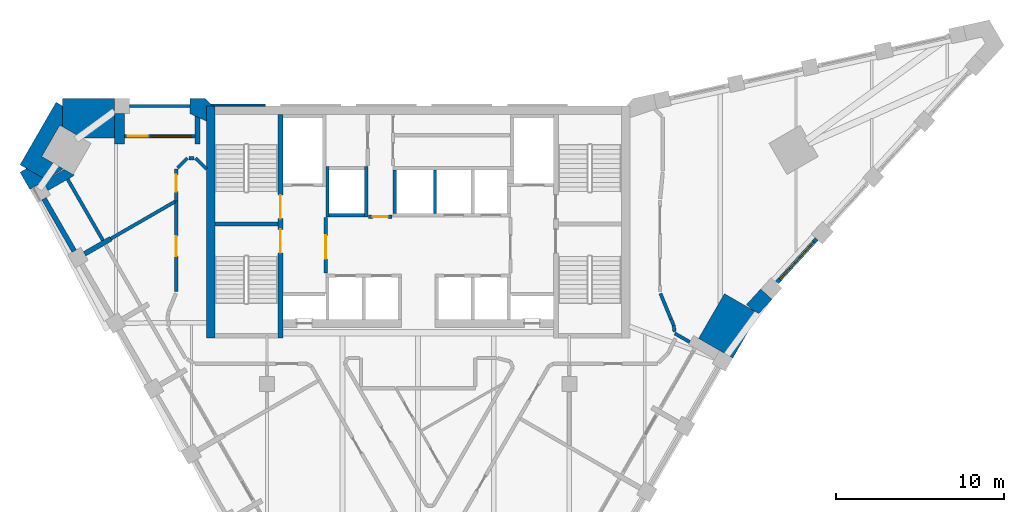
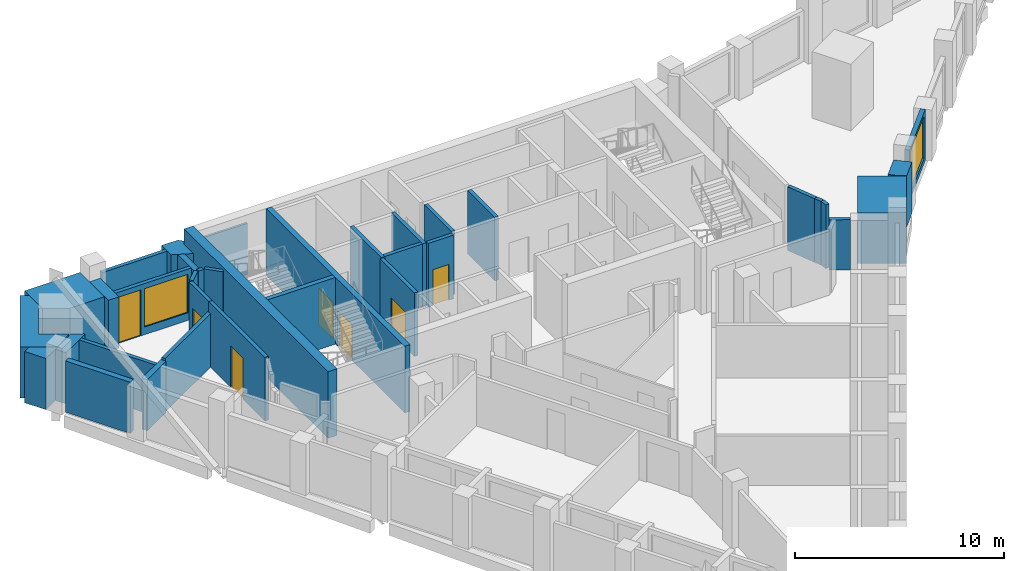
# One storey, part 5 of 8: 36 walls, 7 doors, 2 windows, 9 openings.
"""IFC4 building model written with IfcOpenShell, lengths in metres."""

from ifc_helpers import new_model, si_unit, direction, frame, frame_2d, origin, place, context, subcontext, project, spatial, polyline, rectangle, outline, extrude, material, layer, layer_set, type_object, element, fill, save


model = new_model("IFC4")

# Units and contexts
model_context = context("Model", 3, precision=1e-05, world=origin(), true_north=direction((0.0, 1.0)))
body_context = subcontext(model_context, "Body", "Model", "MODEL_VIEW")
ifc_project = project(units=[si_unit("LENGTHUNIT", "METRE"), si_unit("AREAUNIT", "SQUARE_METRE"), si_unit("VOLUMEUNIT", "CUBIC_METRE"), si_unit("PLANEANGLEUNIT", "RADIAN"), si_unit("MASSUNIT", "GRAM", prefix="KILO")], contexts=[model_context])

# Site, building, storey
site_placement = place(None, origin())
site = spatial("IfcSite", under=ifc_project, at=site_placement, CompositionType="ELEMENT")
building_placement = place(site_placement, origin())
building = spatial("IfcBuilding", under=site, at=building_placement, Name="Calabash Gate Tower", CompositionType="ELEMENT")
storey_placement = place(building_placement, frame((0.0, 0.0, 279.39990234375)))
storey = spatial("IfcBuildingStorey", under=building, at=storey_placement, Name="L67", CompositionType="ELEMENT", Elevation=279.39990234375)

# Walls
ifc_material_1 = material(Name="Terracotta brick masonry, exposed face", Category="masonry")
ifc_layer_1 = layer(ifc_material_1, 2.35009765625)
ifc_layer_set_1 = layer_set([ifc_layer_1], Name="Brick corner mass wall 2350")
wall_type_1 = type_object("IfcWallType", Name="Brick corner mass wall 2350", PredefinedType="SOLIDWALL", material=ifc_layer_set_1)
wall_1_placement = place(storey_placement, origin())
element("IfcWall", 1, at=wall_1_placement, inside=storey, type_object=wall_type_1, Name="Brick corner pier S20 2", PredefinedType="SOLIDWALL", context=body_context, shape_type="SweptSolid", body=[
    extrude(outline(polyline([(18.733642578125, 4.041748046875), (18.73291015625, 4.04052734375), (18.733642578125, 4.0400390625), (20.271240234375, 6.703125), (18.236083984375, 7.878173828125), (16.698486328125, 5.215087890625), (17.95361328125, 4.490478515625), (17.954345703125, 4.49169921875), (18.733642578125, 4.041748046875)])), origin(), (0.0, 0.0, 1.0), 2.9736328125),
])
wall_2_placement = place(storey_placement, origin())
element("IfcWall", 2, at=wall_2_placement, inside=storey, type_object=wall_type_1, Name="Brick corner pier S20 3a", PredefinedType="SOLIDWALL", context=body_context, shape_type="SweptSolid", body=[
    extrude(outline(polyline([(-20.024169921875, 17.152587890625), (-18.093505859375, 17.152587890625), (-18.093505859375, 18.60302734375), (-18.093994140625, 18.60302734375), (-18.093994140625, 19.50244140625), (-21.168701171875, 19.50244140625), (-21.168701171875, 17.813232421875), (-20.024169921875, 17.152587890625)])), origin(), (0.0, 0.0, 1.0), 3.0),
])
wall_3_placement = place(storey_placement, origin())
element("IfcWall", 3, at=wall_3_placement, inside=storey, type_object=wall_type_1, Name="Brick corner pier S20 3b", PredefinedType="SOLIDWALL", context=body_context, shape_type="SweptSolid", body=[
    extrude(outline(polyline([(-21.33349609375, 17.908447265625), (-21.168701171875, 17.813232421875), (-21.168701171875, 19.052490234375), (-21.558349609375, 19.277587890625), (-23.70703125, 15.55615234375), (-22.140869140625, 14.65185546875), (-21.134765625, 15.311279296875), (-22.408447265625, 16.046630859375), (-21.33349609375, 17.908447265625)])), origin(), (0.0, 0.0, 1.0), 3.0),
])
wall_4_placement = place(storey_placement, origin())
element("IfcWall", 4, at=wall_4_placement, inside=storey, type_object=wall_type_1, Name="Brick corner pier S20 3c", PredefinedType="SOLIDWALL", context=body_context, shape_type="SweptSolid", body=[
    extrude(outline(polyline([(-23.118408203125, 14.08740234375), (-21.08349609375, 15.26220703125), (-21.100341796875, 15.291259765625), (-21.134765625, 15.311279296875), (-22.140869140625, 14.65185546875), (-23.3173828125, 15.3310546875), (-23.70703125, 15.106201171875), (-23.118408203125, 14.08740234375)])), origin(), (0.0, 0.0, 1.0), 3.0),
])
ifc_material_2 = material(Name="Terracotta brick masonry, exposed face", Category="masonry")
ifc_layer_2 = layer(ifc_material_2, 0.89990234375)
ifc_layer_set_2 = layer_set([ifc_layer_2], Name="Brick end wall 900")
wall_type_2 = type_object("IfcWallType", Name="Brick end wall 900", PredefinedType="SOLIDWALL", material=ifc_layer_set_2)
wall_5_placement = place(storey_placement, origin())
element("IfcWall", 5, at=wall_5_placement, inside=storey, type_object=wall_type_2, Name="Brick pier S20 N6.5", PredefinedType="SOLIDWALL", context=body_context, shape_type="SweptSolid", body=[
    extrude(outline(polyline([(-12.233642578125, 19.052490234375), (-12.693603515625, 19.50244140625), (-13.593505859375, 19.50244140625), (-13.593505859375, 18.6025390625), (-12.60009765625, 18.15234375), (-12.60009765625, 19.052490234375), (-12.233642578125, 19.052490234375)])), origin(), (0.0, 0.0, 1.0), 3.0),
])
wall_6_placement = place(storey_placement, origin())
element("IfcWall", 6, at=wall_6_placement, inside=storey, type_object=wall_type_2, Name="Brick end wall S20 1", PredefinedType="SOLIDWALL", context=body_context, shape_type="SweptSolid", body=[
    extrude(outline(polyline([(20.394775390625, 8.15625), (19.54931640625, 7.23193359375), (19.88134765625, 6.92822265625), (20.271240234375, 6.703125), (20.24658203125, 6.66064453125), (21.058837890625, 7.548828125), (20.394775390625, 8.15625)])), origin(), (0.0, 0.0, 1.0), 3.0),
])
ifc_material_3 = material(Name="Terracotta brick masonry, exposed face", Category="masonry")
ifc_layer_3 = layer(ifc_material_3, 0.300048828125)
ifc_layer_set_3 = layer_set([ifc_layer_3], Name="Brick infill panel wall 300")
wall_type_3 = type_object("IfcWallType", Name="Brick infill panel wall 300", PredefinedType="SOLIDWALL", material=ifc_layer_set_3)
wall_7_placement = place(storey_placement, frame((-22.279052734375, 13.53271484375, 0.0), z_axis=(0.0, 0.0, 1.0), x_axis=(0.500012057535, -0.866018442252, 0.0)))
element("IfcWall", 7, at=wall_7_placement, inside=storey, type_object=wall_type_3, Name="Brick panel S20 SW0.1", PredefinedType="SOLIDWALL", context=body_context, shape_type="SweptSolid", body=[
    extrude(rectangle(XDim=3.60009765625, YDim=0.300048828125, at=frame_2d((1.800048828125, 0.0))), origin(), (0.0, 0.0, 1.0), 3.0),
])
ifc_material_4 = material(Name="Terracotta brick masonry, exposed face", Category="masonry")
ifc_layer_4 = layer(ifc_material_4, 0.300048828125)
ifc_layer_set_4 = layer_set([ifc_layer_4], Name="Brick loggia cheek wall 300")
wall_type_4 = type_object("IfcWallType", Name="Brick loggia cheek wall 300", PredefinedType="SOLIDWALL", material=ifc_layer_set_4)
wall_8_placement = place(storey_placement, origin())
element("IfcWall", 8, at=wall_8_placement, inside=storey, type_object=wall_type_4, Name="Loggia cheek S20 SW0.0", PredefinedType="SOLIDWALL", context=body_context, shape_type="SweptSolid", body=[
    extrude(outline(polyline([(-21.06689453125, 15.27197265625), (-22.339111328125, 14.537353515625), (-22.0390625, 14.017822265625), (-20.48046875, 14.91748046875), (-20.529052734375, 15.001708984375), (-20.546630859375, 14.971435546875), (-21.06689453125, 15.27197265625)])), origin(), (0.0, 0.0, 1.0), 3.0),
])
wall_9_placement = place(storey_placement, frame((-19.8642578125, 10.25048828125, 0.0), z_axis=(0.0, 0.0, 1.0), x_axis=(0.866047807691, 0.499961193289, 0.0)))
element("IfcWall", 9, at=wall_9_placement, inside=storey, type_object=wall_type_4, Name="Loggia cheek S20 SW0.1", PredefinedType="SOLIDWALL", context=body_context, shape_type="SweptSolid", body=[
    extrude(rectangle(XDim=1.800048828125, YDim=0.300048828125, at=frame_2d((0.89990234375, 0.0))), origin(), (0.0, 0.0, 1.0), 3.0),
])
wall_10_placement = place(storey_placement, origin())
element("IfcWall", 10, at=wall_10_placement, inside=storey, type_object=wall_type_4, Name="Loggia cheek S20 N6.5", PredefinedType="SOLIDWALL", context=body_context, shape_type="SweptSolid", body=[
    extrude(outline(polyline([(-13.293701171875, 16.802490234375), (-12.99365234375, 16.802490234375), (-12.99365234375, 18.330810546875), (-13.293701171875, 18.466552734375), (-13.293701171875, 17.152587890625), (-13.293701171875, 16.802490234375)])), origin(), (0.0, 0.0, 1.0), 3.0),
])
wall_11_placement = place(storey_placement, origin())
element("IfcWall", 11, at=wall_11_placement, inside=storey, type_object=wall_type_4, Name="Loggia cheek S20 N6.6", PredefinedType="SOLIDWALL", context=body_context, shape_type="SweptSolid", body=[
    extrude(outline(polyline([(-18.093505859375, 18.6025390625), (-18.093505859375, 16.802490234375), (-17.49365234375, 16.802490234375), (-17.49365234375, 18.6025390625), (-18.093505859375, 18.6025390625)])), origin(), (0.0, 0.0, 1.0), 3.0),
])
ifc_material_5 = material(Name="Concrete C60/75", Category="concrete")
ifc_layer_5 = layer(ifc_material_5, 0.25)
ifc_layer_set_5 = layer_set([ifc_layer_5], Name="Core wall 250 Concrete C60/75")
wall_type_5 = type_object("IfcWallType", Name="Core wall 250 Concrete C60/75", PredefinedType="SHEAR", material=ifc_layer_set_5)
wall_12_placement = place(storey_placement, frame((-12.10009765625, 12.027587890625, 0.0), z_axis=(0.0, 0.0, 1.0), x_axis=(1.0, 0.0, 0.0)))
element("IfcWall", 12, at=wall_12_placement, inside=storey, type_object=wall_type_5, Name="Core wall Z5-MIDW L67", PredefinedType="SHEAR", context=body_context, shape_type="SweptSolid", body=[
    extrude(rectangle(XDim=3.75, YDim=0.25, at=frame_2d((1.875, 0.0))), origin(), (0.0, 0.0, 1.0), 3.900146484375),
])

# Wall, openings, doors
ifc_material_6 = material(Name="Concrete C60/75", Category="concrete")
ifc_layer_6 = layer(ifc_material_6, 0.300048828125)
ifc_layer_set_6 = layer_set([ifc_layer_6], Name="Core wall 300 Concrete C60/75")
wall_type_6 = type_object("IfcWallType", Name="Core wall 300 Concrete C60/75", PredefinedType="SHEAR", material=ifc_layer_set_6)
wall_13_placement = place(storey_placement, frame((-8.199951171875, 5.252685546875, 0.0), z_axis=(0.0, 0.0, 1.0), x_axis=(0.0, 1.0, 0.0)))
wall_13 = element("IfcWall", 13, at=wall_13_placement, inside=storey, type_object=wall_type_6, Name="Core wall Z5-PARTW L67", PredefinedType="SHEAR", context=body_context, shape_type="SweptSolid", body=[
    extrude(rectangle(XDim=13.2998046875, YDim=0.300048828125, at=frame_2d((6.64990234375, 0.0))), origin(), (0.0, 0.0, 1.0), 3.900146484375),
])
opening_1_placement = place(wall_13_placement, frame((7.10009765625, 0.0, 0.0)))
opening_1 = element("IfcOpeningElement", 14, at=opening_1_placement, cuts=wall_13, Name="Opening O12-009", PredefinedType="OPENING", context=body_context, shape_type="SweptSolid", body=[
    extrude(rectangle(XDim=1.39990234375, YDim=2.10009765625, at=frame_2d((0.699951171875, 1.050048828125))), frame((0.0, 0.159912109375, 0.0), z_axis=(0.0, -1.0, 0.0), x_axis=(1.0, 0.0, 0.0)), (0.0, 0.0, 1.0), 0.320068359375),
])
opening_2_placement = place(wall_13_placement, frame((5.050048828125, 0.0, 0.0)))
opening_2 = element("IfcOpeningElement", 15, at=opening_2_placement, cuts=wall_13, Name="Opening O12-010", PredefinedType="OPENING", context=body_context, shape_type="SweptSolid", body=[
    extrude(rectangle(XDim=1.39990234375, YDim=2.10009765625, at=frame_2d((0.699951171875, 1.050048828125))), frame((0.0, 0.159912109375, 0.0), z_axis=(0.0, -1.0, 0.0), x_axis=(1.0, 0.0, 0.0)), (0.0, 0.0, 1.0), 0.320068359375),
])
ifc_material_7 = material(Name="Steel fire door set with fire-resisting glazing", Category="steel")
door_type_1 = type_object("IfcDoorType", Name="Fire door D05 1400x2100 FD90", OperationType="NOTDEFINED", PredefinedType="DOOR", material=ifc_material_7)
door_1_placement = place(opening_1_placement, origin())
door_1 = element("IfcDoor", 16, at=door_1_placement, inside=storey, type_object=door_type_1, Name="Exit stair door ST1", OperationType="SINGLE_SWING_LEFT", OverallHeight=2.10009765625, OverallWidth=1.39990234375, PredefinedType="DOOR", context=body_context, shape_type="SweptSolid", body=[
    extrude(rectangle(XDim=1.39990234375, YDim=2.10009765625, at=frame_2d((0.699951171875, 1.050048828125))), frame((0.0, 0.02490234375, 0.0), z_axis=(0.0, -1.0, 0.0), x_axis=(1.0, 0.0, 0.0)), (0.0, 0.0, 1.0), 0.050048828125),
])
fill(opening_1, door_1)
door_2_placement = place(opening_2_placement, origin())
door_2 = element("IfcDoor", 17, at=door_2_placement, inside=storey, type_object=door_type_1, Name="Exit stair door ST2", OperationType="SINGLE_SWING_LEFT", OverallHeight=2.10009765625, OverallWidth=1.39990234375, PredefinedType="DOOR", context=body_context, shape_type="SweptSolid", body=[
    extrude(rectangle(XDim=1.39990234375, YDim=2.10009765625, at=frame_2d((0.699951171875, 1.050048828125))), frame((0.0, 0.02490234375, 0.0), z_axis=(0.0, -1.0, 0.0), x_axis=(1.0, 0.0, 0.0)), (0.0, 0.0, 1.0), 0.050048828125),
])
fill(opening_2, door_2)

# Walls
ifc_material_8 = material(Name="Concrete C60/75", Category="concrete")
ifc_layer_7 = layer(ifc_material_8, 0.5)
ifc_layer_set_7 = layer_set([ifc_layer_7], Name="Core wall 500 Concrete C60/75")
wall_type_7 = type_object("IfcWallType", Name="Core wall 500 Concrete C60/75", PredefinedType="SHEAR", material=ifc_layer_set_7)
wall_14_placement = place(storey_placement, frame((-12.35009765625, 5.252685546875, 0.0), z_axis=(0.0, 0.0, 1.0), x_axis=(0.0, 1.0, 0.0)))
element("IfcWall", 18, at=wall_14_placement, inside=storey, type_object=wall_type_7, Name="Core wall Z5-COLW L67", PredefinedType="SHEAR", context=body_context, shape_type="SweptSolid", body=[
    extrude(rectangle(XDim=13.7998046875, YDim=0.5, at=frame_2d((6.89990234375, 0.0))), origin(), (0.0, 0.0, 1.0), 3.900146484375),
])
ifc_material_9 = material(Name="Gypsum board on steel studs, mineral wool", Category="steel")
ifc_layer_8 = layer(ifc_material_9, 0.199951171875)
ifc_layer_set_8 = layer_set([ifc_layer_8], Name="Partition 200 gypsum board EI 60")
wall_type_8 = type_object("IfcWallType", Name="Partition 200 gypsum board EI 60", PredefinedType="PARTITIONING", material=ifc_layer_set_8)
wall_15_placement = place(storey_placement, frame((15.27685546875, 5.513916015625, 0.0), z_axis=(0.0, 0.0, 1.0), x_axis=(0.866957478323, -0.498382113222, 0.0)))
element("IfcWall", 19, at=wall_15_placement, inside=storey, type_object=wall_type_8, Name="Partition", PredefinedType="PARTITIONING", context=body_context, shape_type="SweptSolid", body=[
    extrude(rectangle(XDim=1.03076171875, YDim=0.199951171875, at=frame_2d((0.515380859375, 0.0))), origin(), (0.0, 0.0, 1.0), 2.9501953125),
])
wall_16_placement = place(storey_placement, frame((15.210693359375, 6.015869140625, 0.0), z_axis=(0.0, 0.0, 1.0), x_axis=(0.133309467874, -0.991074460258, 0.0)))
element("IfcWall", 20, at=wall_16_placement, inside=storey, type_object=wall_type_8, Name="Partition", PredefinedType="PARTITIONING", context=body_context, shape_type="SweptSolid", body=[
    extrude(rectangle(XDim=0.40478515625, YDim=0.199951171875, at=frame_2d((0.202392578125, 0.0))), origin(), (0.0, 0.0, 1.0), 3.72998046875),
])
wall_17_placement = place(storey_placement, frame((15.05078125, 6.37353515625, 0.0), z_axis=(0.0, 0.0, 1.0), x_axis=(0.408161090952, -0.912909920985, 0.0)))
element("IfcWall", 21, at=wall_17_placement, inside=storey, type_object=wall_type_8, Name="Partition", PredefinedType="PARTITIONING", context=body_context, shape_type="SweptSolid", body=[
    extrude(rectangle(XDim=0.391845703125, YDim=0.199951171875, at=frame_2d((0.19580078125, 0.0))), origin(), (0.0, 0.0, 1.0), 3.72998046875),
])
wall_18_placement = place(storey_placement, frame((14.425048828125, 7.892822265625, 0.0), z_axis=(0.0, 0.0, 1.0), x_axis=(0.380824536343, -0.924647323318, 0.0)))
element("IfcWall", 22, at=wall_18_placement, inside=storey, type_object=wall_type_8, Name="Partition", PredefinedType="PARTITIONING", context=body_context, shape_type="SweptSolid", body=[
    extrude(rectangle(XDim=1.64306640625, YDim=0.199951171875, at=frame_2d((0.821533203125, 0.0))), origin(), (0.0, 0.0, 1.0), 3.72998046875),
])

# Wall, opening, door
wall_19_placement = place(storey_placement, frame((-14.402099609375, 13.404052734375, 0.0), z_axis=(0.0, 0.0, 1.0), x_axis=(0.000317258867, -0.999999949673, 0.0)))
wall_19 = element("IfcWall", 23, at=wall_19_placement, inside=storey, type_object=wall_type_8, Name="Partition", PredefinedType="PARTITIONING", context=body_context, shape_type="SweptSolid", body=[
    extrude(rectangle(XDim=5.38671875, YDim=0.199951171875, at=frame_2d((2.693359375, 0.0))), origin(), (0.0, 0.0, 1.0), 3.72998046875),
])
opening_3_placement = place(wall_19_placement, frame((2.092041015625, 0.0, 0.0)))
opening_3 = element("IfcOpeningElement", 24, at=opening_3_placement, cuts=wall_19, Name="Opening 67-68-004", PredefinedType="OPENING", context=body_context, shape_type="SweptSolid", body=[
    extrude(rectangle(XDim=1.199951171875, YDim=2.39990234375, at=frame_2d((0.60009765625, 1.199951171875))), frame((0.0, 0.10986328125, 0.0), z_axis=(0.0, -1.0, 0.0), x_axis=(1.0, 0.0, 0.0)), (0.0, 0.0, 1.0), 0.219970703125),
])
ifc_material_10 = material(Name="Steel fire door set with fire-resisting glazing", Category="steel")
door_type_2 = type_object("IfcDoorType", Name="OD3 Boardroom door 1200x2400", OperationType="NOTDEFINED", PredefinedType="DOOR", material=ifc_material_10)
door_3_placement = place(opening_3_placement, origin())
door_3 = element("IfcDoor", 25, at=door_3_placement, inside=storey, type_object=door_type_2, Name="Boardroom door", OperationType="SINGLE_SWING_LEFT", OverallHeight=2.39990234375, OverallWidth=1.199951171875, PredefinedType="DOOR", context=body_context, shape_type="SweptSolid", body=[
    extrude(rectangle(XDim=1.199951171875, YDim=2.39990234375, at=frame_2d((0.60009765625, 1.199951171875))), frame((0.0, 0.02490234375, 0.0), z_axis=(0.0, -1.0, 0.0), x_axis=(1.0, 0.0, 0.0)), (0.0, 0.0, 1.0), 0.050048828125),
])
fill(opening_3, door_3)

# Wall
wall_20_placement = place(storey_placement, frame((-18.3056640625, 11.150634765625, 0.0), z_axis=(0.0, 0.0, 1.0), x_axis=(0.866033448958, 0.499986065091, 0.0)))
element("IfcWall", 26, at=wall_20_placement, inside=storey, type_object=wall_type_8, Name="Partition", PredefinedType="PARTITIONING", context=body_context, shape_type="SweptSolid", body=[
    extrude(rectangle(XDim=4.409423828125, YDim=0.199951171875, at=frame_2d((2.20458984375, 0.0))), origin(), (0.0, 0.0, 1.0), 3.128173828125),
])

# Wall, opening, door
wall_21_placement = place(storey_placement, frame((-14.400390625, 13.4052734375, 0.0), z_axis=(0.0, 0.0, 1.0), x_axis=(0.0, 1.0, 0.0)))
wall_21 = element("IfcWall", 27, at=wall_21_placement, inside=storey, type_object=wall_type_8, Name="Partition", PredefinedType="PARTITIONING", context=body_context, shape_type="SweptSolid", body=[
    extrude(rectangle(XDim=1.8876953125, YDim=0.199951171875, at=frame_2d((0.94384765625, 0.0))), origin(), (0.0, 0.0, 1.0), 3.72998046875),
])
opening_4_placement = place(wall_21_placement, frame((0.543701171875, 0.0, 0.0)))
opening_4 = element("IfcOpeningElement", 28, at=opening_4_placement, cuts=wall_21, Name="Opening 67-68-005", PredefinedType="OPENING", context=body_context, shape_type="SweptSolid", body=[
    extrude(rectangle(XDim=1.0, YDim=2.39990234375, at=frame_2d((0.5, 1.199951171875))), frame((0.0, 0.10986328125, 0.0), z_axis=(0.0, -1.0, 0.0), x_axis=(1.0, 0.0, 0.0)), (0.0, 0.0, 1.0), 0.219970703125),
])
ifc_material_11 = material(Name="Painted timber door", Category="wood")
door_type_3 = type_object("IfcDoorType", Name="OD2 Glazed office door 1000x2400", OperationType="NOTDEFINED", PredefinedType="DOOR", material=ifc_material_11)
door_4_placement = place(opening_4_placement, origin())
door_4 = element("IfcDoor", 29, at=door_4_placement, inside=storey, type_object=door_type_3, Name="Glazed office door", OperationType="SINGLE_SWING_RIGHT", OverallHeight=2.39990234375, OverallWidth=1.0, PredefinedType="DOOR", context=body_context, shape_type="SweptSolid", body=[
    extrude(rectangle(XDim=1.0, YDim=2.39990234375, at=frame_2d((0.5, 1.199951171875))), frame((0.0, 0.02490234375, 0.0), z_axis=(0.0, -1.0, 0.0), x_axis=(1.0, 0.0, 0.0)), (0.0, 0.0, 1.0), 0.050048828125),
])
fill(opening_4, door_4)

# Walls
wall_22_placement = place(storey_placement, frame((-14.32958984375, 15.363525390625, 0.0), z_axis=(0.0, 0.0, 1.0), x_axis=(0.707106781187, 0.707106781187, 0.0)))
element("IfcWall", 30, at=wall_22_placement, inside=storey, type_object=wall_type_8, Name="Partition", PredefinedType="PARTITIONING", context=body_context, shape_type="SweptSolid", body=[
    extrude(rectangle(XDim=0.833740234375, YDim=0.199951171875, at=frame_2d((0.4169921875, 0.0))), origin(), (0.0, 0.0, 1.0), 3.72998046875),
])
wall_23_placement = place(storey_placement, frame((-13.639892578125, 15.952880859375, 0.0), z_axis=(0.0, 0.0, 1.0), x_axis=(1.0, 0.0, 0.0)))
element("IfcWall", 31, at=wall_23_placement, inside=storey, type_object=wall_type_8, Name="Partition", PredefinedType="PARTITIONING", context=body_context, shape_type="SweptSolid", body=[
    extrude(rectangle(XDim=0.280029296875, YDim=0.199951171875, at=frame_2d((0.14013671875, 0.0))), origin(), (0.0, 0.0, 1.0), 3.72998046875),
])
wall_24_placement = place(storey_placement, frame((-13.259765625, 15.952880859375, 0.0), z_axis=(0.0, 0.0, 1.0), x_axis=(0.708285399161, -0.705926195389, 0.0)))
element("IfcWall", 32, at=wall_24_placement, inside=storey, type_object=wall_type_8, Name="Partition", PredefinedType="PARTITIONING", context=body_context, shape_type="SweptSolid", body=[
    extrude(rectangle(XDim=0.931396484375, YDim=0.199951171875, at=frame_2d((0.4658203125, 0.0))), origin(), (0.0, 0.0, 1.0), 3.72998046875),
])

# Wall, opening, window
ifc_material_12 = material(Name="Aluminium framed window wall with insulated spandrel", Category="aluminium")
ifc_layer_9 = layer(ifc_material_12, 0.25)
ifc_layer_set_9 = layer_set([ifc_layer_9], Name="Prow window wall 250")
wall_type_9 = type_object("IfcWallType", Name="Prow window wall 250", PredefinedType="ELEMENTEDWALL", material=ifc_layer_set_9)
wall_25_placement = place(storey_placement, frame((21.367919921875, 8.5537109375, 0.0), z_axis=(0.0, 0.0, 1.0), x_axis=(0.67487449122, 0.737932531537, 0.0)))
wall_25 = element("IfcWall", 33, at=wall_25_placement, inside=storey, type_object=wall_type_9, Name="Prow window wall S20 wedge3.1", PredefinedType="ELEMENTEDWALL", context=body_context, shape_type="SweptSolid", body=[
    extrude(rectangle(XDim=3.5, YDim=0.25, at=frame_2d((1.75, 0.0))), origin(), (0.0, 0.0, 1.0), 3.0),
])
opening_5_placement = place(wall_25_placement, frame((0.25, 0.0, 0.300048828125)))
opening_5 = element("IfcOpeningElement", 34, at=opening_5_placement, cuts=wall_25, Name="Opening WP2", PredefinedType="OPENING", context=body_context, shape_type="SweptSolid", body=[
    extrude(rectangle(XDim=3.0, YDim=2.5, at=frame_2d((1.5, 1.25))), frame((0.0, 0.135009765625, 0.0), z_axis=(0.0, -1.0, 0.0), x_axis=(1.0, 0.0, 0.0)), (0.0, 0.0, 1.0), 0.27001953125),
])
ifc_material_13 = material(Name="Anodised aluminium frame, bronze finish, impact-rated laminated clear glazing", Category="aluminium")
window_type_1 = type_object("IfcWindowType", Name="Window WP2 3000x2500", PartitioningType="DOUBLE_PANEL_VERTICAL", PredefinedType="WINDOW", material=ifc_material_13)
window_1_placement = place(opening_5_placement, origin())
window_1 = element("IfcWindow", 35, at=window_1_placement, inside=storey, type_object=window_type_1, Name="Prow window WP2 S20 wedge3.1", OverallHeight=2.5, OverallWidth=3.0, PartitioningType="SINGLE_PANEL", PredefinedType="WINDOW", context=body_context, shape_type="SweptSolid", body=[
    extrude(rectangle(XDim=3.0, YDim=2.5, at=frame_2d((1.5, 1.25))), frame((0.0, 0.030029296875, 0.0), z_axis=(0.0, -1.0, 0.0), x_axis=(1.0, 0.0, 0.0)), (0.0, 0.0, 1.0), 0.06005859375),
])
fill(opening_5, window_1)

# Wall, opening, door
ifc_material_14 = material(Name="Concrete C40/50", Category="concrete")
ifc_layer_10 = layer(ifc_material_14, 0.199951171875)
ifc_layer_set_10 = layer_set([ifc_layer_10], Name="Shaft wall 200 Concrete C40/50")
wall_type_10 = type_object("IfcWallType", Name="Shaft wall 200 Concrete C40/50", PredefinedType="SOLIDWALL", material=ifc_layer_set_10)
wall_26_placement = place(storey_placement, frame((-5.5, 9.1025390625, 0.0), z_axis=(0.0, 0.0, 1.0), x_axis=(0.0, 1.0, 0.0)))
wall_26 = element("IfcWall", 36, at=wall_26_placement, inside=storey, type_object=wall_type_10, Name="Shaft wall", PredefinedType="SOLIDWALL", context=body_context, shape_type="SweptSolid", body=[
    extrude(rectangle(XDim=3.300048828125, YDim=0.199951171875, at=frame_2d((1.64990234375, 0.0))), origin(), (0.0, 0.0, 1.0), 3.72998046875),
])
opening_6_placement = place(wall_26_placement, frame((0.85009765625, 0.0, 0.0)))
opening_6 = element("IfcOpeningElement", 37, at=opening_6_placement, cuts=wall_26, Name="Opening O12-003", PredefinedType="OPENING", context=body_context, shape_type="SweptSolid", body=[
    extrude(rectangle(XDim=1.39990234375, YDim=2.10009765625, at=frame_2d((0.699951171875, 1.050048828125))), frame((0.0, 0.10986328125, 0.0), z_axis=(0.0, -1.0, 0.0), x_axis=(1.0, 0.0, 0.0)), (0.0, 0.0, 1.0), 0.219970703125),
])
door_5_placement = place(opening_6_placement, origin())
door_5 = element("IfcDoor", 38, at=door_5_placement, inside=storey, type_object=door_type_1, Name="Firefighting Lobby W door", OperationType="SINGLE_SWING_RIGHT", OverallHeight=2.10009765625, OverallWidth=1.39990234375, PredefinedType="DOOR", context=body_context, shape_type="SweptSolid", body=[
    extrude(rectangle(XDim=1.39990234375, YDim=2.10009765625, at=frame_2d((0.699951171875, 1.050048828125))), frame((0.0, 0.02490234375, 0.0), z_axis=(0.0, -1.0, 0.0), x_axis=(1.0, 0.0, 0.0)), (0.0, 0.0, 1.0), 0.050048828125),
])
fill(opening_6, door_5)

wall_27_placement = place(storey_placement, frame((-2.949951171875, 12.45263671875, 0.0), z_axis=(0.0, 0.0, 1.0), x_axis=(1.0, 0.0, 0.0)))
wall_27 = element("IfcWall", 39, at=wall_27_placement, inside=storey, type_object=wall_type_10, Name="Shaft wall", PredefinedType="SOLIDWALL", context=body_context, shape_type="SweptSolid", body=[
    extrude(rectangle(XDim=1.39990234375, YDim=0.199951171875, at=frame_2d((0.699951171875, 0.0))), origin(), (0.0, 0.0, 1.0), 3.72998046875),
])
opening_7_placement = place(wall_27_placement, frame((0.25, 0.0, 0.0)))
opening_7 = element("IfcOpeningElement", 40, at=opening_7_placement, cuts=wall_27, Name="Opening O12-001", PredefinedType="OPENING", context=body_context, shape_type="SweptSolid", body=[
    extrude(rectangle(XDim=0.89990234375, YDim=2.10009765625, at=frame_2d((0.449951171875, 1.050048828125))), frame((0.0, 0.10986328125, 0.0), z_axis=(0.0, -1.0, 0.0), x_axis=(1.0, 0.0, 0.0)), (0.0, 0.0, 1.0), 0.219970703125),
])
ifc_material_15 = material(Name="Steel fire door set with fire-resisting glazing", Category="steel")
door_type_4 = type_object("IfcDoorType", Name="Fire door D06 900x2100 FD60", OperationType="NOTDEFINED", PredefinedType="DOOR", material=ifc_material_15)
door_6_placement = place(opening_7_placement, origin())
door_6 = element("IfcDoor", 41, at=door_6_placement, inside=storey, type_object=door_type_4, Name="Service Corridor door", OperationType="SINGLE_SWING_RIGHT", OverallHeight=2.10009765625, OverallWidth=0.89990234375, PredefinedType="DOOR", context=body_context, shape_type="SweptSolid", body=[
    extrude(rectangle(XDim=0.89990234375, YDim=2.10009765625, at=frame_2d((0.449951171875, 1.050048828125))), frame((0.0, 0.02490234375, 0.0), z_axis=(0.0, -1.0, 0.0), x_axis=(1.0, 0.0, 0.0)), (0.0, 0.0, 1.0), 0.050048828125),
])
fill(opening_7, door_6)

# Walls
wall_28_placement = place(storey_placement, frame((-5.39990234375, 12.45263671875, 0.0), z_axis=(0.0, 0.0, 1.0), x_axis=(0.0, 1.0, 0.0)))
element("IfcWall", 42, at=wall_28_placement, inside=storey, type_object=wall_type_10, Name="Shaft wall", PredefinedType="SOLIDWALL", context=body_context, shape_type="SweptSolid", body=[
    extrude(rectangle(XDim=3.0, YDim=0.199951171875, at=frame_2d((1.5, 0.0))), origin(), (0.0, 0.0, 1.0), 3.72998046875),
])
wall_29_placement = place(storey_placement, frame((-5.300048828125, 12.552490234375, 0.0), z_axis=(0.0, 0.0, 1.0), x_axis=(1.0, 0.0, 0.0)))
element("IfcWall", 43, at=wall_29_placement, inside=storey, type_object=wall_type_10, Name="Shaft wall", PredefinedType="SOLIDWALL", context=body_context, shape_type="SweptSolid", body=[
    extrude(rectangle(XDim=2.10009765625, YDim=0.199951171875, at=frame_2d((1.050048828125, 0.0))), origin(), (0.0, 0.0, 1.0), 3.72998046875),
])
wall_30_placement = place(storey_placement, frame((-3.10009765625, 12.45263671875, 0.0), z_axis=(0.0, 0.0, 1.0), x_axis=(0.0, 1.0, 0.0)))
element("IfcWall", 44, at=wall_30_placement, inside=storey, type_object=wall_type_10, Name="Shaft wall", PredefinedType="SOLIDWALL", context=body_context, shape_type="SweptSolid", body=[
    extrude(rectangle(XDim=3.0, YDim=0.199951171875, at=frame_2d((1.5, 0.0))), origin(), (0.0, 0.0, 1.0), 3.72998046875),
])
for number, where, z_axis, x_axis, name in (
    (45, (-1.39990234375, 12.652587890625, 0.0), (0.0, 0.0, 1.0), (0.0, 1.0, 0.0), "Shaft wall"),
    (46, (1.0, 12.652587890625, 0.0), (0.0, 0.0, 1.0), (0.0, 1.0, 0.0), "Shaft wall"),
):
    element("IfcWall", number, at=place(storey_placement, frame(where, z_axis=z_axis, x_axis=x_axis)), inside=storey, type_object=wall_type_10, Name=name, PredefinedType="SOLIDWALL", context=body_context, shape_type="SweptSolid", body=[
        extrude(rectangle(XDim=2.60009765625, YDim=0.199951171875, at=frame_2d((1.300048828125, 0.0))), origin(), (0.0, 0.0, 1.0), 3.72998046875),
    ])
ifc_material_16 = material(Name="Terracotta brick masonry, perforated", Category="masonry")
ifc_layer_11 = layer(ifc_material_16, 0.1201171875)
ifc_layer_set_11 = layer_set([ifc_layer_11], Name="Terracotta jaali cladding B 120")
wall_type_11 = type_object("IfcWallType", Name="Terracotta jaali cladding B 120", PredefinedType="SOLIDWALL", material=ifc_layer_set_11)
wall_31_placement = place(storey_placement, origin())
element("IfcWall", 47, at=wall_31_placement, inside=storey, type_object=wall_type_11, Name="Jaali cladding S20 N6.5", PredefinedType="SOLIDWALL", context=body_context, shape_type="SweptSolid", body=[
    extrude(outline(polyline([(-12.233154296875, 19.052490234375), (-9.093505859375, 19.052490234375), (-9.093505859375, 19.172607421875), (-12.35546875, 19.172607421875), (-12.233154296875, 19.052490234375)])), origin(), (0.0, 0.0, 1.0), 3.0),
])
ifc_material_17 = material(Name="Terracotta brick masonry, perforated", Category="masonry")
ifc_layer_12 = layer(ifc_material_17, 0.199951171875)
ifc_layer_set_12 = layer_set([ifc_layer_12], Name="Terracotta jaali screen B")
wall_type_12 = type_object("IfcWallType", Name="Terracotta jaali screen B", PredefinedType="SOLIDWALL", material=ifc_layer_set_12)
wall_32_placement = place(storey_placement, frame((-13.593505859375, 19.052490234375, 0.0), z_axis=(0.0, 0.0, 1.0), x_axis=(-1.0, 0.0, 0.0)))
element("IfcWall", 48, at=wall_32_placement, inside=storey, type_object=wall_type_12, Name="SCREEN B S20 N6.6", PredefinedType="SOLIDWALL", context=body_context, shape_type="SweptSolid", body=[
    extrude(rectangle(XDim=3.60009765625, YDim=0.199951171875, at=frame_2d((1.800048828125, 0.0))), origin(), (0.0, 0.0, 1.0), 3.0),
])
ifc_material_18 = material(Name="Aluminium framed window wall with insulated spandrel", Category="aluminium")
ifc_layer_13 = layer(ifc_material_18, 0.199951171875)
ifc_layer_set_13 = layer_set([ifc_layer_13], Name="Window wall 200")
wall_type_13 = type_object("IfcWallType", Name="Window wall 200", PredefinedType="ELEMENTEDWALL", material=ifc_layer_set_13)
wall_33_placement = place(storey_placement, frame((-20.8701171875, 14.692626953125, 0.0), z_axis=(0.0, 0.0, 1.0), x_axis=(0.499958946799, -0.866049104564, 0.0)))
element("IfcWall", 49, at=wall_33_placement, inside=storey, type_object=wall_type_13, Name="Window wall S20 SW0.1", PredefinedType="ELEMENTEDWALL", context=body_context, shape_type="SweptSolid", body=[
    extrude(rectangle(XDim=4.199951171875, YDim=0.199951171875, at=frame_2d((2.10009765625, 0.0))), origin(), (0.0, 0.0, 1.0), 3.0),
])

# Wall, openings, door, window
wall_34_placement = place(storey_placement, frame((-13.293701171875, 17.25244140625, 0.0), z_axis=(0.0, 0.0, 1.0), x_axis=(-1.0, 0.0, 0.0)))
wall_34 = element("IfcWall", 50, at=wall_34_placement, inside=storey, type_object=wall_type_13, Name="Window wall S20 N6.6", PredefinedType="ELEMENTEDWALL", context=body_context, shape_type="SweptSolid", body=[
    extrude(rectangle(XDim=4.199951171875, YDim=0.199951171875, at=frame_2d((2.10009765625, 0.0))), origin(), (0.0, 0.0, 1.0), 3.0),
])
opening_8_placement = place(wall_34_placement, frame((0.199951171875, 0.0, 0.449951171875)))
opening_8 = element("IfcOpeningElement", 51, at=opening_8_placement, cuts=wall_34, Name="Opening OW1", PredefinedType="OPENING", context=body_context, shape_type="SweptSolid", body=[
    extrude(rectangle(XDim=2.39990234375, YDim=2.25, at=frame_2d((1.199951171875, 1.125))), frame((0.0, 0.10986328125, 0.0), z_axis=(0.0, -1.0, 0.0), x_axis=(1.0, 0.0, 0.0)), (0.0, 0.0, 1.0), 0.219970703125),
])
opening_9_placement = place(wall_34_placement, frame((2.800048828125, 0.0, 0.0)))
opening_9 = element("IfcOpeningElement", 52, at=opening_9_placement, cuts=wall_34, Name="Opening O12-013", PredefinedType="OPENING", context=body_context, shape_type="SweptSolid", body=[
    extrude(rectangle(XDim=1.199951171875, YDim=2.699951171875, at=frame_2d((0.60009765625, 1.35009765625))), frame((0.0, 0.10986328125, 0.0), z_axis=(0.0, -1.0, 0.0), x_axis=(1.0, 0.0, 0.0)), (0.0, 0.0, 1.0), 0.219970703125),
])
ifc_material_19 = material(Name="Anodised aluminium frame, bronze finish, impact-rated laminated clear glazing", Category="aluminium")
door_type_5 = type_object("IfcDoorType", Name="Loggia door DO1 1200x2700", OperationType="SLIDING_TO_LEFT", PredefinedType="DOOR", material=ifc_material_19)
door_7_placement = place(opening_9_placement, origin())
door_7 = element("IfcDoor", 53, at=door_7_placement, inside=storey, type_object=door_type_5, Name="Loggia door S20 N6.6", OperationType="SINGLE_SWING_LEFT", OverallHeight=2.699951171875, OverallWidth=1.199951171875, PredefinedType="DOOR", context=body_context, shape_type="SweptSolid", body=[
    extrude(rectangle(XDim=1.199951171875, YDim=2.699951171875, at=frame_2d((0.60009765625, 1.35009765625))), frame((0.0, 0.02490234375, 0.0), z_axis=(0.0, -1.0, 0.0), x_axis=(1.0, 0.0, 0.0)), (0.0, 0.0, 1.0), 0.050048828125),
])
fill(opening_9, door_7)
ifc_material_20 = material(Name="Anodised aluminium frame, bronze finish, impact-rated laminated clear glazing", Category="aluminium")
window_type_2 = type_object("IfcWindowType", Name="Window OW1 2400x2250", PartitioningType="DOUBLE_PANEL_VERTICAL", PredefinedType="WINDOW", material=ifc_material_20)
window_2_placement = place(opening_8_placement, origin())
window_2 = element("IfcWindow", 54, at=window_2_placement, inside=storey, type_object=window_type_2, Name="Window OW1 S20 N6.6", OverallHeight=2.25, OverallWidth=2.39990234375, PartitioningType="SINGLE_PANEL", PredefinedType="WINDOW", context=body_context, shape_type="SweptSolid", body=[
    extrude(rectangle(XDim=2.39990234375, YDim=2.25, at=frame_2d((1.199951171875, 1.125))), frame((0.0, 0.030029296875, 0.0), z_axis=(0.0, -1.0, 0.0), x_axis=(1.0, 0.0, 0.0)), (0.0, 0.0, 1.0), 0.06005859375),
])
fill(opening_8, window_2)

save(model, "model.ifc")
